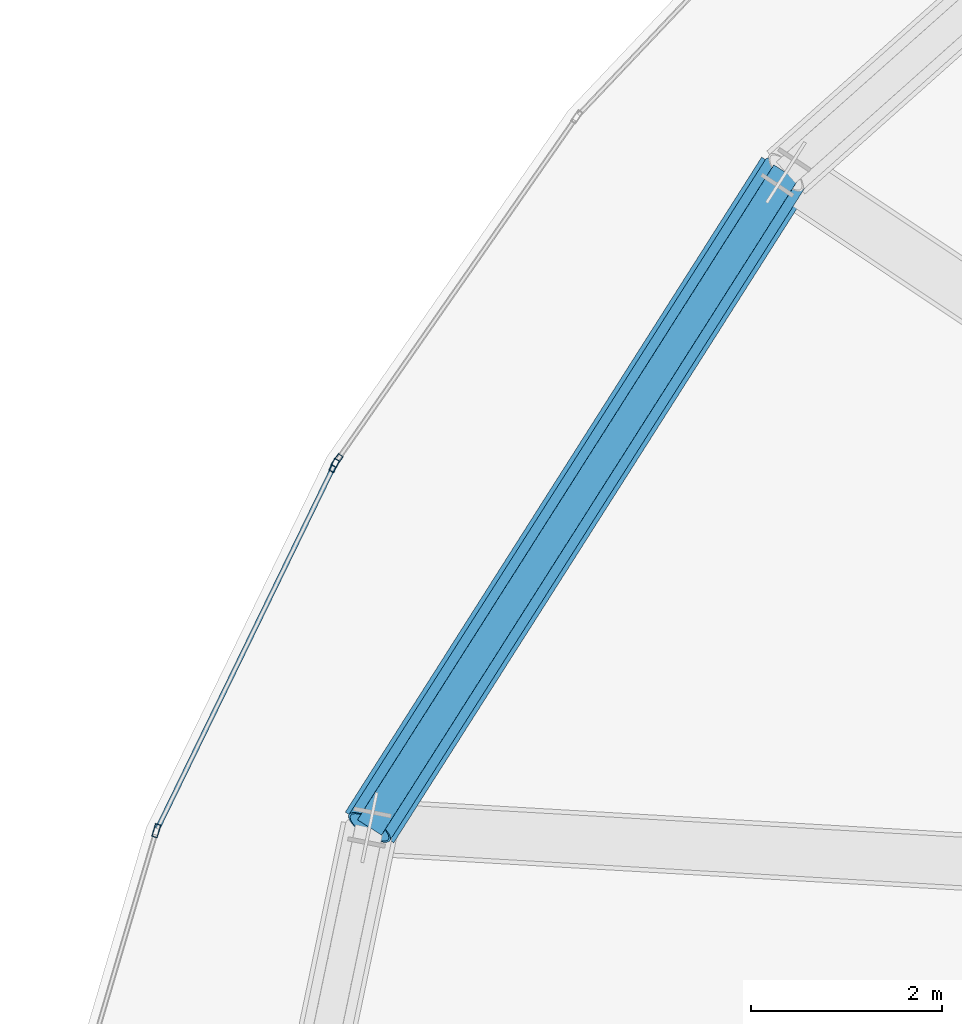
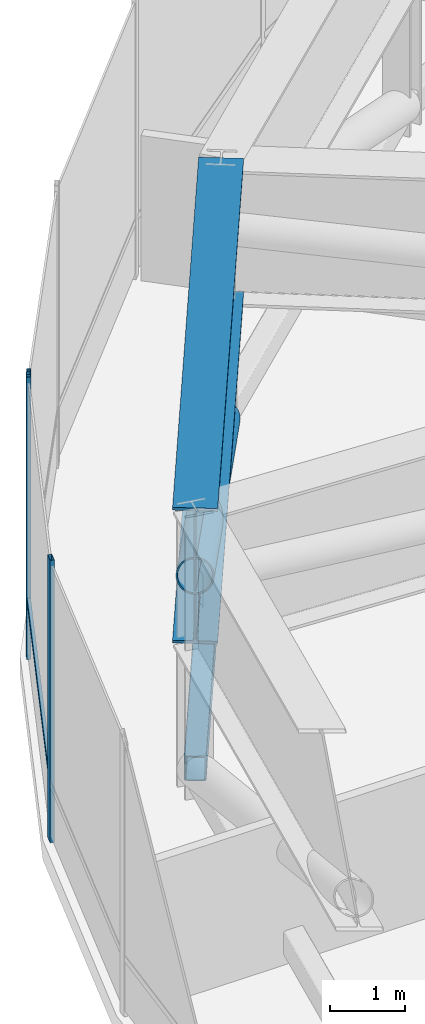
# One storey, part 11 of 30: 6 members, 1 beam, 2 elements without a shape of their own.
"""IFC4 building model written with IfcOpenShell, lengths in metres."""

from ifc_helpers import new_model, si_unit, direction, frame, origin, origin_2d, place, context, subcontext, project, spatial, hollow_rectangle, hollow_circle, i_section, extrude, source, transform, mapped, material, layer, layer_set, material_profile, profile_set, type_object, element, aggregate, save


model = new_model("IFC4")

# Units and contexts
model_context = context("Model", 3, precision=1e-05, world=origin(), true_north=direction((0.0, 1.0)))
body_context = subcontext(model_context, "Body", "Model", "MODEL_VIEW")
ifc_project = project(units=[si_unit("LENGTHUNIT", "METRE"), si_unit("AREAUNIT", "SQUARE_METRE"), si_unit("VOLUMEUNIT", "CUBIC_METRE"), si_unit("PLANEANGLEUNIT", "RADIAN"), si_unit("MASSUNIT", "GRAM", prefix="KILO"), si_unit("THERMODYNAMICTEMPERATUREUNIT", "KELVIN")], contexts=[model_context])

# Site, building, storey
site_placement = place(None, origin())
site = spatial("IfcSite", under=ifc_project, at=site_placement, CompositionType="ELEMENT")
building_placement = place(site_placement, origin())
building = spatial("IfcBuilding", under=site, at=building_placement, Name="Kethvar Cultural Tower", CompositionType="ELEMENT")
storey_placement = place(building_placement, frame((0.0, 0.0, 171.39990234375)))
storey = spatial("IfcBuildingStorey", under=building, at=storey_placement, Name="L44", CompositionType="ELEMENT", Elevation=171.39990234375)

# Beam
ifc_material_1 = material(Name="Steel S460M", Category="steel")
ifc_material_profile_1 = material_profile(ifc_material_1, i_section(OverallWidth=0.60009765625, OverallDepth=2.199951171875, WebThickness=0.028076171875, FlangeThickness=0.044921875, FilletRadius=0.02197265625, at=origin_2d()), Name="Steel S460M — PG2200x600x45x28")
ifc_profile_set_1 = profile_set([ifc_material_profile_1], Name="Steel S460M — PG2200x600x45x28")
beam_type = type_object("IfcBeamType", Name="BM-TR2200", PredefinedType="BEAM", material=ifc_profile_set_1)
shared_shape_1 = source(origin(), body_context, "Body", "SweptSolid", [
    extrude(i_section(OverallWidth=0.60009765625, OverallDepth=2.199951171875, WebThickness=0.028076171875, FlangeThickness=0.044921875, FilletRadius=0.02197265625, at=origin_2d()), origin(), (0.0, 0.0, 1.0), 8.122314453125),
])
beam_placement = place(storey_placement, frame((30.345947265625, 38.794189453125, 3.47802734375), z_axis=(-0.536478664647, -0.843913883272, 0.0), x_axis=(0.843913883272, -0.536478664647, 0.0)))
element("IfcBeam", 1, at=beam_placement, inside=storey, type_object=beam_type, Name="L44 Ring Belt Girder BG-07", PredefinedType="BEAM", context=body_context, shape_type="MappedRepresentation", body=[
    mapped(shared_shape_1, transform((0.0, 0.0, 0.0), scale=1.0)),
])

# Members
ifc_material_profile_2 = material_profile(ifc_material_1, hollow_rectangle(XDim=0.300048828125, YDim=0.39990234375, WallThickness=0.01611328125, InnerFilletRadius=0.01611328125, OuterFilletRadius=0.031982421875, at=origin_2d()), Name="Steel S460M — RHS400x300x16")
ifc_profile_set_2 = profile_set([ifc_material_profile_2], Name="Steel S460M — RHS400x300x16")
member_type_1 = type_object("IfcMemberType", Name="MB-CHD-400", PredefinedType="CHORD", material=ifc_profile_set_2)
shared_shape_2 = source(origin(), body_context, "Body", "SweptSolid", [
    extrude(hollow_rectangle(XDim=0.300048828125, YDim=0.39990234375, WallThickness=0.01611328125, InnerFilletRadius=0.01611328125, OuterFilletRadius=0.031982421875, at=origin_2d()), origin(), (0.0, 0.0, 1.0), 8.122314453125),
])
member_1_placement = place(storey_placement, frame((30.345947265625, 38.794189453125, 0.35009765625), z_axis=(-0.536478664647, -0.843913883272, 0.0), x_axis=(0.843913883272, -0.536478664647, 0.0)))
element("IfcMember", 2, at=member_1_placement, inside=storey, type_object=member_type_1, Name="L44 Ring Belt Bottom Chord BC-07", PredefinedType="CHORD", context=body_context, shape_type="MappedRepresentation", body=[
    mapped(shared_shape_2, transform((0.0, 0.0, 0.0), scale=1.0)),
])
ifc_material_profile_3 = material_profile(ifc_material_1, hollow_circle(Radius=0.25390625, WallThickness=0.02001953125, at=origin_2d()), Name="Steel S460M — CHS508x20")
ifc_profile_set_3 = profile_set([ifc_material_profile_3], Name="Steel S460M — CHS508x20")
member_type_2 = type_object("IfcMemberType", Name="MB-OUT-508", PredefinedType="BRACE", material=ifc_profile_set_3)
shared_shape_3 = source(origin(), body_context, "Body", "SweptSolid", [
    extrude(hollow_circle(Radius=0.25390625, WallThickness=0.02001953125, at=origin_2d()), origin(), (0.0, 0.0, 1.0), 8.703857421875),
])
member_2_placement = place(storey_placement, frame((30.345947265625, 38.794189453125, 0.35009765625), z_axis=(-0.500637731287, -0.787533894196, 0.35937755565), x_axis=(0.843913883272, -0.536478664647, 0.0)))
element("IfcMember", 3, at=member_2_placement, inside=storey, type_object=member_type_2, Name="L44 Ring Belt Diagonal BD-07", PredefinedType="BRACE", context=body_context, shape_type="MappedRepresentation", body=[
    mapped(shared_shape_3, transform((0.0, 0.0, 0.0), scale=1.0)),
])

# Curtain wall, member
ifc_material_2 = material(Name="Aluminium 6063-T6", Category="aluminium")
ifc_layer = layer(ifc_material_2, 0.179931640625, Name="Aluminium 6063-T6", Category="aluminium")
ifc_layer_set = layer_set([ifc_layer], Name="Aluminium 6063-T6 (180 mm)")
curtain_wall_type = type_object("IfcCurtainWallType", Name="CW-SYS-04-Z34", PredefinedType="NOTDEFINED", material=ifc_layer_set)
curtain_wall_1_placement = place(storey_placement, origin())
curtain_wall_1 = element("IfcCurtainWall", 4, at=curtain_wall_1_placement, inside=storey, type_object=curtain_wall_type, Name="L44 Curtain Wall Run 02", PredefinedType="NOTDEFINED")
ifc_material_profile_4 = material_profile(ifc_material_2, hollow_rectangle(XDim=0.06005859375, YDim=0.139892578125, WallThickness=0.0048828125, at=origin_2d()), Name="Aluminium 6063-T6 — RHS140x60x5")
ifc_profile_set_4 = profile_set([ifc_material_profile_4], Name="Aluminium 6063-T6 — RHS140x60x5")
member_type_3 = type_object("IfcMemberType", Name="CW-SYS-04-Z34-MUL", PredefinedType="MULLION", material=ifc_profile_set_4)
shared_shape_4 = source(origin(), body_context, "Body", "SweptSolid", [
    extrude(hollow_rectangle(XDim=0.06005859375, YDim=0.139892578125, WallThickness=0.0048828125, at=origin_2d()), origin(), (0.0, 0.0, 1.0), 4.580078125),
])
member_3_placement = place(storey_placement, frame((25.649169921875, 35.780029296875, 0.0), z_axis=(0.0, 0.0, 1.0), x_axis=(0.820351542489, -0.571859551582, 0.0)))
member_3 = element("IfcMember", 5, at=member_3_placement, type_object=member_type_3, Name="CW-L44-R02 Mullion 7", PredefinedType="MULLION", context=body_context, shape_type="MappedRepresentation", body=[
    mapped(shared_shape_4, transform((0.0, 0.0, 0.0), scale=1.0)),
])
aggregate(curtain_wall_1, [member_3])

# Curtain wall, members
curtain_wall_2_placement = place(storey_placement, origin())
curtain_wall_2 = element("IfcCurtainWall", 6, at=curtain_wall_2_placement, inside=storey, type_object=curtain_wall_type, Name="L44 Curtain Wall Run 03", PredefinedType="NOTDEFINED")
member_4_placement = place(storey_placement, frame((25.618408203125, 35.727783203125, 0.0), z_axis=(0.0, 0.0, 1.0), x_axis=(0.899222074043, -0.437492470283, 0.0)))
member_4 = element("IfcMember", 7, at=member_4_placement, type_object=member_type_3, Name="CW-L44-R03 Mullion 1", PredefinedType="MULLION", context=body_context, shape_type="MappedRepresentation", body=[
    mapped(shared_shape_4, transform((0.0, 0.0, 0.0), scale=1.0)),
])
member_5_placement = place(storey_placement, frame((23.75732421875, 31.90576171875, 0.0), z_axis=(0.0, 0.0, 1.0), x_axis=(0.959037560247, -0.283278940331, 0.0)))
member_5 = element("IfcMember", 8, at=member_5_placement, type_object=member_type_3, Name="CW-L44-R03 Mullion 2", PredefinedType="MULLION", context=body_context, shape_type="MappedRepresentation", body=[
    mapped(shared_shape_4, transform((0.0, 0.0, 0.0), scale=1.0)),
])
ifc_material_profile_5 = material_profile(ifc_material_2, hollow_rectangle(XDim=0.050048828125, YDim=0.10009765625, WallThickness=0.00390625, at=origin_2d()), Name="Aluminium 6063-T6 — RHS100x50x4")
ifc_profile_set_5 = profile_set([ifc_material_profile_5], Name="Aluminium 6063-T6 — RHS100x50x4")
member_type_4 = type_object("IfcMemberType", Name="CW-SYS-04-Z34-TRN", PredefinedType="USERDEFINED", material=ifc_profile_set_5)
shared_shape_5 = source(origin(), body_context, "Body", "SweptSolid", [
    extrude(hollow_rectangle(XDim=0.050048828125, YDim=0.10009765625, WallThickness=0.00390625, at=origin_2d()), origin(), (0.0, 0.0, 1.0), 4.221923828125),
])
member_6_placement = place(storey_placement, frame((25.61669921875, 35.723876953125, 0.9501953125), z_axis=(-0.437518797295, -0.899209264862, 0.0), x_axis=(0.899209264862, -0.437518797295, 0.0)))
member_6 = element("IfcMember", 9, at=member_6_placement, type_object=member_type_4, Name="CW-L44-R03 Transom 1", ObjectType="TRANSOM", PredefinedType="USERDEFINED", context=body_context, shape_type="MappedRepresentation", body=[
    mapped(shared_shape_5, transform((0.0, 0.0, 0.0), scale=1.0)),
])
aggregate(curtain_wall_2, [member_4, member_5, member_6])

save(model, "model.ifc")
